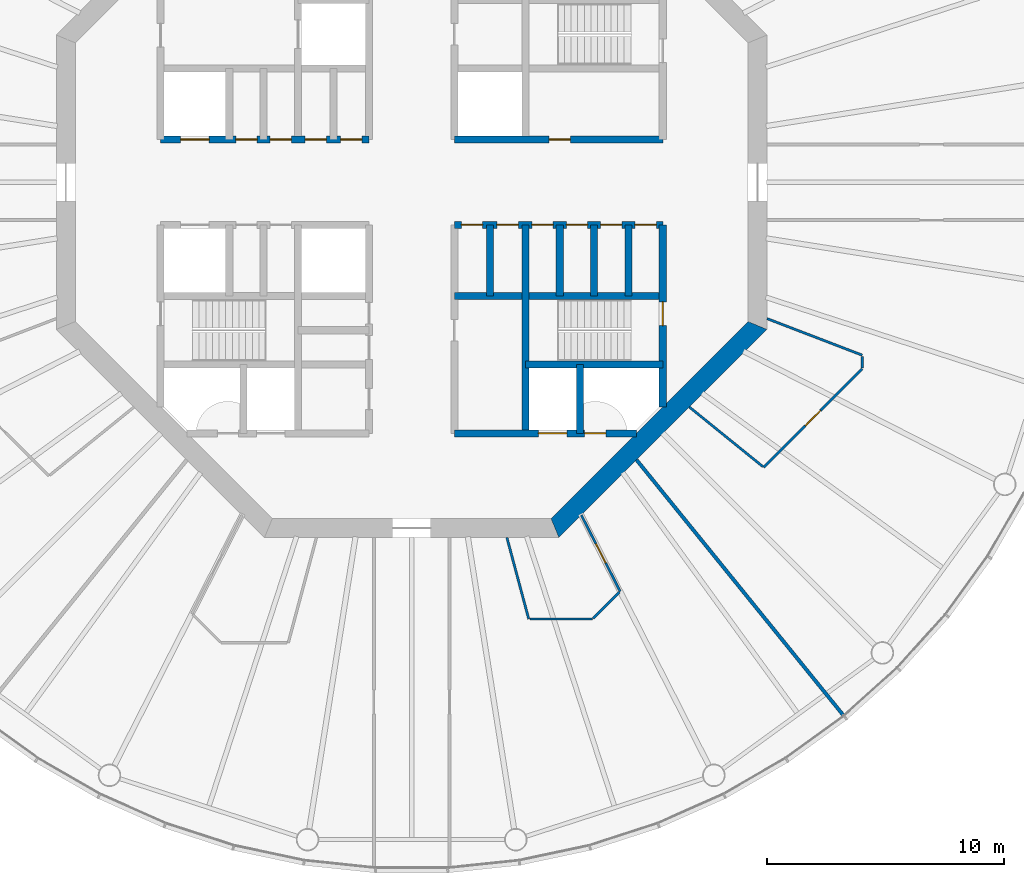
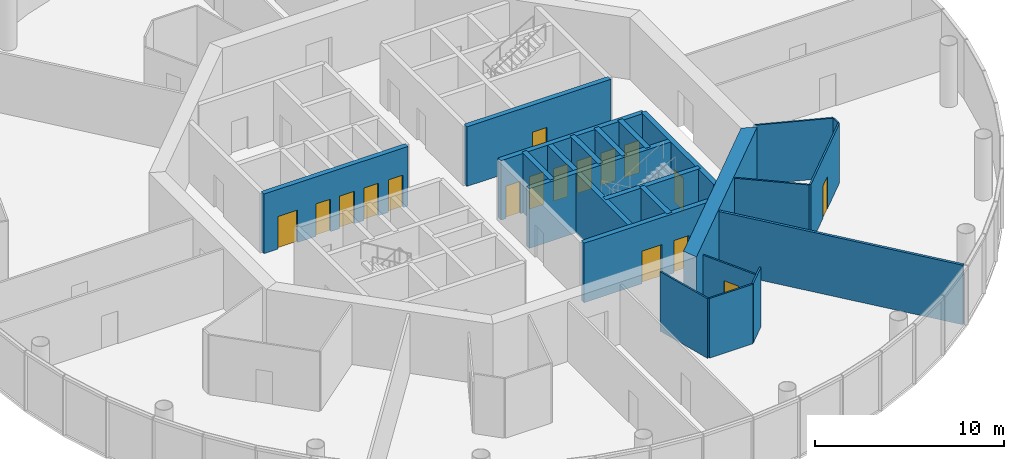
# One storey, part 4 of 13: 23 walls, 17 doors, 17 openings.
"""IFC4 building model written with IfcOpenShell, lengths in metres."""

import ifcopenshell
import ifcopenshell.guid

model = None  # the IFC model being written
_history = None  # IfcOwnerHistory: only IFC2X3 demands one
_inside = {}  # id of a spatial element -> (the spatial element, [elements in it])
_under = {}  # id of a project, library or spatial element -> (it, [spatial elements below it])
_declared = {}  # id of a project -> (the project, [libraries it declares])
_typed = {}  # id of a type object -> (the type object, [elements of that type])
_made_of = {}  # id of a material, layer set ... -> (it, [elements and type objects made of it])


def new_model(schema):
    """Start an empty IFC model of exactly this schema.

    Asked for "IFC4X3", IfcOpenShell would pick the latest addendum, in which some entities
    have other attributes; the version numbers below select the first issue.
    IFC2X3 requires an IfcOwnerHistory on every rooted entity: one is made here for all.
    """
    global model, _history
    if schema == "IFC4X3":
        model = ifcopenshell.file(schema_version=(4, 3, 0, 0))
    else:
        model = ifcopenshell.file(schema=schema)
    _inside.clear()
    _under.clear()
    _declared.clear()
    _typed.clear()
    _made_of.clear()
    _history = None
    if model.schema == "IFC2X3":
        org = make("IfcOrganization", Name="unknown")
        user = make(
            "IfcPersonAndOrganization",
            ThePerson=make("IfcPerson", FamilyName="unknown"),
            TheOrganization=org,
        )
        app = make(
            "IfcApplication",
            ApplicationDeveloper=org,
            Version="unknown",
            ApplicationFullName="unknown",
            ApplicationIdentifier="unknown",
        )
        _history = make(
            "IfcOwnerHistory",
            OwningUser=user,
            OwningApplication=app,
            ChangeAction="ADDED",
            CreationDate=0,
        )
    return model


def make(cls, **values):
    """One entity of the class cls with the attributes given. An attribute that is None is left unset."""
    return model.create_entity(
        cls, **{name: value for name, value in values.items() if value is not None}
    )


def rooted(cls, **values):
    """An entity with a GlobalId (a new one), such as an element, a storey or a relation."""
    return make(cls, GlobalId=ifcopenshell.guid.new(), OwnerHistory=_history, **values)


def si_unit(unit_type, name, prefix=None):
    """IfcSIUnit, for example si_unit("LENGTHUNIT", "METRE", prefix="MILLI")."""
    return make("IfcSIUnit", UnitType=unit_type, Prefix=prefix, Name=name)


def assignment(units):
    """IfcUnitAssignment: the units of a project."""
    return None if units is None else make("IfcUnitAssignment", Units=units)


def point(xyz):
    """IfcCartesianPoint."""
    return None if xyz is None else make("IfcCartesianPoint", Coordinates=xyz)


def direction(xyz):
    """IfcDirection."""
    return None if xyz is None else make("IfcDirection", DirectionRatios=xyz)


def frame(location, z_axis=None, x_axis=None):
    """IfcAxis2Placement3D, a coordinate frame: its origin and axes. An axis left out is left unset."""
    return make(
        "IfcAxis2Placement3D",
        Location=point(location),
        Axis=direction(z_axis),
        RefDirection=direction(x_axis),
    )


def frame_2d(location, x_axis=None):
    """IfcAxis2Placement2D, a coordinate frame in the plane: its origin and x axis."""
    return make(
        "IfcAxis2Placement2D", Location=point(location), RefDirection=direction(x_axis)
    )


def origin():
    """The frame at (0, 0, 0) with its axes left unset."""
    return frame((0.0, 0.0, 0.0))


def place(relative_to, where):
    """IfcLocalPlacement: puts the frame where relative to a parent placement (None: the world)."""
    return make(
        "IfcLocalPlacement", PlacementRelTo=relative_to, RelativePlacement=where
    )


def context(
    kind, dimensions, precision=None, world=None, true_north=None, identifier=None
):
    """IfcGeometricRepresentationContext, for example the 3D "Model" context."""
    return make(
        "IfcGeometricRepresentationContext",
        ContextIdentifier=identifier,
        ContextType=kind,
        CoordinateSpaceDimension=dimensions,
        Precision=precision,
        WorldCoordinateSystem=world,
        TrueNorth=true_north,
    )


def subcontext(parent, identifier, kind, view, scale=None):
    """IfcGeometricRepresentationSubContext, for example "Body" below "Model"."""
    return make(
        "IfcGeometricRepresentationSubContext",
        ContextIdentifier=identifier,
        ContextType=kind,
        ParentContext=parent,
        TargetScale=scale,
        TargetView=view,
    )


def project(units=None, contexts=None):
    """IfcProject with its units and contexts."""
    return rooted(
        "IfcProject",
        Name="project",
        RepresentationContexts=contexts,
        UnitsInContext=assignment(units),
    )


def spatial(cls, under=None, at=None, **own):
    """A site, building, storey or space (cls), placed at a placement, below another one or the project."""
    s = rooted(cls, ObjectPlacement=at, **own)
    if under is not None:
        _under.setdefault(under.id(), (under, []))[1].append(s)
    return s


def polyline(points):
    """IfcPolyline through the points."""
    return make("IfcPolyline", Points=[point(p) for p in points])


def profile(cls, at=None, kind="AREA", **sizes):
    """A parametric profile (cls). Its sizes go by their IFC names, for example OverallWidth=200.0."""
    return make(cls, ProfileType=kind, Position=at, **sizes)


def rectangle(**sizes):
    """IfcRectangleProfileDef."""
    return profile("IfcRectangleProfileDef", **sizes)


def outline(outer, holes=None, kind="AREA"):
    """IfcArbitraryClosedProfileDef: a profile drawn as a closed curve; with holes, ...WithVoids."""
    if holes is None:
        return make("IfcArbitraryClosedProfileDef", ProfileType=kind, OuterCurve=outer)
    return make(
        "IfcArbitraryProfileDefWithVoids",
        ProfileType=kind,
        OuterCurve=outer,
        InnerCurves=holes,
    )


def extrude(swept, where, along, depth):
    """IfcExtrudedAreaSolid: the profile swept, set in the frame where, extruded along a direction by depth."""
    return make(
        "IfcExtrudedAreaSolid",
        SweptArea=swept,
        Position=where,
        ExtrudedDirection=direction(along),
        Depth=depth,
    )


def shape(context_of_items, identifier, shape_type, items):
    """IfcShapeRepresentation: the items that make up one representation, for example the "Body"."""
    return make(
        "IfcShapeRepresentation",
        ContextOfItems=context_of_items,
        RepresentationIdentifier=identifier,
        RepresentationType=shape_type,
        Items=items,
    )


def material(Name=None, Category=None):
    """IfcMaterial."""
    return make("IfcMaterial", Name=Name, Category=Category)


def layer(
    of_material, thickness, ventilated=None, Name=None, Category=None, Priority=None
):
    """IfcMaterialLayer: one layer of a wall or slab, of a material (None: an air gap)."""
    return make(
        "IfcMaterialLayer",
        Material=of_material,
        LayerThickness=thickness,
        IsVentilated=ventilated,
        Name=Name,
        Category=Category,
        Priority=Priority,
    )


def layer_set(layers, Name=None):
    """IfcMaterialLayerSet."""
    return make("IfcMaterialLayerSet", MaterialLayers=layers, LayerSetName=Name)


def made_of(thing, what):
    """Note that an element or type object is made of a material, layer set ...; save() writes the relation."""
    if what is not None:
        _made_of.setdefault(what.id(), (what, []))[1].append(thing)
    return thing


def type_object(cls, material=None, **own):
    """A type object (cls), such as IfcWallType, which elements share."""
    return made_of(rooted(cls, **own), material)


def element(
    cls,
    number,
    at=None,
    inside=None,
    cuts=None,
    type_object=None,
    material=None,
    context=None,
    identifier="Body",
    shape_type=None,
    held_by="IfcProductDefinitionShape",
    body=None,
    shapes=None,
    **own,
):
    """One element of the class cls, such as IfcWall. Its Tag is "e" and its number.

    at: its placement. inside: the storey or other place that contains it. cuts: it is an
    opening in that element (IfcRelVoidsElement). A single representation is given by context,
    identifier, shape_type and body (its items); several are given by shapes. held_by: the class
    of the entity that holds the representations. save() writes the other relations.
    """
    e = rooted(cls, Tag="e%d" % number, ObjectPlacement=at, **own)
    if body is not None:
        shapes = [shape(context, identifier, shape_type, body)]
    if shapes is not None:
        e.Representation = make(held_by, Representations=shapes)
    if inside is not None:
        _inside.setdefault(inside.id(), (inside, []))[1].append(e)
    if cuts is not None:
        rooted(
            "IfcRelVoidsElement", RelatingBuildingElement=cuts, RelatedOpeningElement=e
        )
    if type_object is not None:
        _typed.setdefault(type_object.id(), (type_object, []))[1].append(e)
    return made_of(e, material)


def fill(opening, filler):
    """IfcRelFillsElement: the door or window that sits in an opening."""
    return rooted(
        "IfcRelFillsElement",
        RelatingOpeningElement=opening,
        RelatedBuildingElement=filler,
    )


def aggregate(whole, parts):
    """IfcRelAggregates: a whole, such as a stair, and the parts it consists of."""
    return rooted("IfcRelAggregates", RelatingObject=whole, RelatedObjects=parts)


def save(model, path):
    """Write the relations noted so far, then the file.

    IfcRelAggregates (storeys below a building ...), IfcRelContainedInSpatialStructure (elements
    in a storey), IfcRelDefinesByType, IfcRelAssociatesMaterial and IfcRelDeclares: one each for
    every whole, place, type object, material and project.
    """
    for whole, parts in _under.values():
        aggregate(whole, parts)
    for where, things in _inside.values():
        rooted(
            "IfcRelContainedInSpatialStructure",
            RelatedElements=things,
            RelatingStructure=where,
        )
    for kind, things in _typed.values():
        rooted("IfcRelDefinesByType", RelatedObjects=things, RelatingType=kind)
    for what, things in _made_of.values():
        rooted("IfcRelAssociatesMaterial", RelatedObjects=things, RelatingMaterial=what)
    for by, libraries in _declared.values():
        rooted("IfcRelDeclares", RelatingContext=by, RelatedDefinitions=libraries)
    model.write(path)


model = new_model("IFC4")

# Units and contexts
model_context = context("Model", 3, precision=1e-05, world=origin(), true_north=direction((0.0, 1.0)))
body_context = subcontext(model_context, "Body", "Model", "MODEL_VIEW")
ifc_project = project(units=[si_unit("LENGTHUNIT", "METRE"), si_unit("AREAUNIT", "SQUARE_METRE"), si_unit("VOLUMEUNIT", "CUBIC_METRE"), si_unit("PLANEANGLEUNIT", "RADIAN"), si_unit("MASSUNIT", "GRAM", prefix="KILO")], contexts=[model_context])

# Site, building, storey
site_placement = place(None, origin())
site = spatial("IfcSite", under=ifc_project, at=site_placement, CompositionType="ELEMENT")
building_placement = place(site_placement, origin())
building = spatial("IfcBuilding", under=site, at=building_placement, Name="Entoto Ring Tower", CompositionType="ELEMENT")
storey_placement = place(building_placement, frame((0.0, 0.0, 286.0)))
storey = spatial("IfcBuildingStorey", under=building, at=storey_placement, Name="L65", CompositionType="ELEMENT", Elevation=286.0)

# Wall, opening, door
ifc_material_1 = material(Name="Concrete C40/50", Category="concrete")
ifc_layer_1 = layer(ifc_material_1, 0.300048828125)
ifc_layer_set_1 = layer_set([ifc_layer_1], Name="Concrete C40/50")
wall_type_1 = type_object("IfcWallType", Name="Core enclosure wall 300 mm reinforced concrete", PredefinedType="SOLIDWALL", material=ifc_layer_set_1)
wall_1_placement = place(storey_placement, frame((100.60009765625, 70.518310546875, 0.0), z_axis=(0.0, 0.0, 1.0), x_axis=(0.0, 1.0, 0.0)))
wall_1 = element("IfcWall", 1, at=wall_1_placement, inside=storey, type_object=wall_type_1, Name="wall-L65-001", PredefinedType="SOLIDWALL", context=body_context, shape_type="SweptSolid", body=[
    extrude(rectangle(XDim=7.681640625, YDim=0.300048828125, at=frame_2d((3.8408203125, 0.0))), origin(), (0.0, 0.0, 1.0), 3.85009765625),
])
opening_1_placement = place(wall_1_placement, frame((3.431884765625, 0.0, 0.0)))
opening_1 = element("IfcOpeningElement", 2, at=opening_1_placement, cuts=wall_1, Name="Opening K-31", PredefinedType="OPENING", context=body_context, shape_type="SweptSolid", body=[
    extrude(rectangle(XDim=1.0, YDim=2.10009765625, at=frame_2d((0.5, 1.050048828125))), frame((0.0, 0.16015625, 0.0), z_axis=(0.0, -1.0, 0.0), x_axis=(1.0, 0.0, 0.0)), (0.0, 0.0, 1.0), 0.320068359375),
])
ifc_material_2 = material(Name="Steel door leaf, fire rated", Category="steel")
ifc_layer_2 = layer(ifc_material_2, 0.050048828125)
ifc_layer_set_2 = layer_set([ifc_layer_2], Name="Steel door leaf, fire rated")
door_type_1 = type_object("IfcDoorType", Name="Fire door FD60 1000 x 2100 single leaf", OperationType="NOTDEFINED", PredefinedType="DOOR", material=ifc_layer_set_2)
door_1_placement = place(opening_1_placement, origin())
door_1 = element("IfcDoor", 3, at=door_1_placement, inside=storey, type_object=door_type_1, Name="Door K-31", OperationType="SINGLE_SWING_RIGHT", OverallHeight=2.10009765625, OverallWidth=1.0, PredefinedType="DOOR", context=body_context, shape_type="SweptSolid", body=[
    extrude(rectangle(XDim=1.0, YDim=2.10009765625, at=frame_2d((0.5, 1.050048828125))), frame((0.0, 0.02490234375, 0.0), z_axis=(0.0, -1.0, 0.0), x_axis=(1.0, 0.0, 0.0)), (0.0, 0.0, 1.0), 0.050048828125),
])
fill(opening_1, door_1)

# Walls
for number, where, z_axis, x_axis, name in (
    (4, (99.14990234375, 75.199951171875, 0.0), (0.0, 0.0, 1.0), (0.0, 1.0, 0.0), "wall-L65-003"),
    (5, (97.699951171875, 75.199951171875, 0.0), (0.0, 0.0, 1.0), (0.0, 1.0, 0.0), "wall-L65-004"),
):
    element("IfcWall", number, at=place(storey_placement, frame(where, z_axis=z_axis, x_axis=x_axis)), inside=storey, type_object=wall_type_1, Name=name, PredefinedType="SOLIDWALL", context=body_context, shape_type="SweptSolid", body=[
        extrude(rectangle(XDim=3.0, YDim=0.300048828125, at=frame_2d((1.5, 0.0))), origin(), (0.0, 0.0, 1.0), 3.85009765625),
    ])
wall_2_placement = place(storey_placement, frame((97.10009765625, 69.39990234375, 0.0), z_axis=(0.0, 0.0, 1.0), x_axis=(0.0, 1.0, 0.0)))
element("IfcWall", 6, at=wall_2_placement, inside=storey, type_object=wall_type_1, Name="wall-L65-005", PredefinedType="SOLIDWALL", context=body_context, shape_type="SweptSolid", body=[
    extrude(rectangle(XDim=2.900146484375, YDim=0.300048828125, at=frame_2d((1.4501953125, 0.0))), origin(), (0.0, 0.0, 1.0), 3.85009765625),
])
wall_3_placement = place(storey_placement, frame((96.25, 75.199951171875, 0.0), z_axis=(0.0, 0.0, 1.0), x_axis=(0.0, 1.0, 0.0)))
element("IfcWall", 7, at=wall_3_placement, inside=storey, type_object=wall_type_1, Name="wall-L65-007", PredefinedType="SOLIDWALL", context=body_context, shape_type="SweptSolid", body=[
    extrude(rectangle(XDim=3.0, YDim=0.300048828125, at=frame_2d((1.5, 0.0))), origin(), (0.0, 0.0, 1.0), 3.85009765625),
])
wall_4_placement = place(storey_placement, frame((94.800048828125, 69.39990234375, 0.0), z_axis=(0.0, 0.0, 1.0), x_axis=(0.0, 1.0, 0.0)))
element("IfcWall", 8, at=wall_4_placement, inside=storey, type_object=wall_type_1, Name="wall-L65-008", PredefinedType="SOLIDWALL", context=body_context, shape_type="SweptSolid", body=[
    extrude(rectangle(XDim=8.800048828125, YDim=0.300048828125, at=frame_2d((4.39990234375, 0.0))), origin(), (0.0, 0.0, 1.0), 3.85009765625),
])
wall_5_placement = place(storey_placement, frame((93.300048828125, 75.199951171875, 0.0), z_axis=(0.0, 0.0, 1.0), x_axis=(0.0, 1.0, 0.0)))
element("IfcWall", 9, at=wall_5_placement, inside=storey, type_object=wall_type_1, Name="wall-L65-010", PredefinedType="SOLIDWALL", context=body_context, shape_type="SweptSolid", body=[
    extrude(rectangle(XDim=3.0, YDim=0.300048828125, at=frame_2d((1.5, 0.0))), origin(), (0.0, 0.0, 1.0), 3.85009765625),
])

# Wall, openings, doors
wall_6_placement = place(storey_placement, frame((91.800048828125, 69.39990234375, 0.0), z_axis=(0.0, 0.0, 1.0), x_axis=(1.0, 0.0, 0.0)))
wall_6 = element("IfcWall", 10, at=wall_6_placement, inside=storey, type_object=wall_type_1, Name="wall-L65-026", PredefinedType="SOLIDWALL", context=body_context, shape_type="SweptSolid", body=[
    extrude(rectangle(XDim=7.681640625, YDim=0.300048828125, at=frame_2d((3.8408203125, 0.0))), origin(), (0.0, 0.0, 1.0), 3.85009765625),
])
opening_2_placement = place(wall_6_placement, frame((3.550048828125, 0.0, 0.0)))
opening_2 = element("IfcOpeningElement", 11, at=opening_2_placement, cuts=wall_6, Name="Opening LD", PredefinedType="OPENING", context=body_context, shape_type="SweptSolid", body=[
    extrude(rectangle(XDim=1.199951171875, YDim=2.10009765625, at=frame_2d((0.60009765625, 1.050048828125))), frame((0.0, 0.16015625, 0.0), z_axis=(0.0, -1.0, 0.0), x_axis=(1.0, 0.0, 0.0)), (0.0, 0.0, 1.0), 0.320068359375),
])
opening_3_placement = place(wall_6_placement, frame((5.5, 0.0, 0.0)))
opening_3 = element("IfcOpeningElement", 12, at=opening_3_placement, cuts=wall_6, Name="Opening K-34", PredefinedType="OPENING", context=body_context, shape_type="SweptSolid", body=[
    extrude(rectangle(XDim=0.89990234375, YDim=2.10009765625, at=frame_2d((0.449951171875, 1.050048828125))), frame((0.0, 0.16015625, 0.0), z_axis=(0.0, -1.0, 0.0), x_axis=(1.0, 0.0, 0.0)), (0.0, 0.0, 1.0), 0.320068359375),
])
ifc_material_3 = material(Name="Steel and glass door leaf", Category="steel")
ifc_layer_3 = layer(ifc_material_3, 0.050048828125)
ifc_layer_set_3 = layer_set([ifc_layer_3], Name="Steel and glass door leaf")
door_type_2 = type_object("IfcDoorType", Name="Landing door 1200 x 2100 sliding", OperationType="DOUBLE_DOOR_SLIDING", PredefinedType="DOOR", material=ifc_layer_set_3)
door_2_placement = place(opening_2_placement, origin())
door_2 = element("IfcDoor", 13, at=door_2_placement, inside=storey, type_object=door_type_2, Name="Landing door LB2-HR", OperationType="SLIDING_TO_RIGHT", OverallHeight=2.10009765625, OverallWidth=1.199951171875, PredefinedType="DOOR", context=body_context, shape_type="SweptSolid", body=[
    extrude(rectangle(XDim=1.199951171875, YDim=2.10009765625, at=frame_2d((0.60009765625, 1.050048828125))), frame((0.0, 0.02490234375, 0.0), z_axis=(0.0, -1.0, 0.0), x_axis=(1.0, 0.0, 0.0)), (0.0, 0.0, 1.0), 0.050048828125),
])
fill(opening_2, door_2)
ifc_material_4 = material(Name="Steel door leaf, fire rated", Category="steel")
ifc_layer_4 = layer(ifc_material_4, 0.050048828125)
ifc_layer_set_4 = layer_set([ifc_layer_4], Name="Steel door leaf, fire rated")
door_type_3 = type_object("IfcDoorType", Name="Riser door FD60 900 x 2100 single leaf", OperationType="NOTDEFINED", PredefinedType="DOOR", material=ifc_layer_set_4)
door_3_placement = place(opening_3_placement, origin())
door_3 = element("IfcDoor", 14, at=door_3_placement, inside=storey, type_object=door_type_3, Name="Door K-34", OperationType="SINGLE_SWING_LEFT", OverallHeight=2.10009765625, OverallWidth=0.89990234375, PredefinedType="DOOR", context=body_context, shape_type="SweptSolid", body=[
    extrude(rectangle(XDim=0.89990234375, YDim=2.10009765625, at=frame_2d((0.449951171875, 1.050048828125))), frame((0.0, 0.02490234375, 0.0), z_axis=(0.0, -1.0, 0.0), x_axis=(1.0, 0.0, 0.0)), (0.0, 0.0, 1.0), 0.050048828125),
])
fill(opening_3, door_3)

# Walls
wall_7_placement = place(storey_placement, frame((94.800048828125, 72.300048828125, 0.0), z_axis=(0.0, 0.0, 1.0), x_axis=(1.0, 0.0, 0.0)))
element("IfcWall", 15, at=wall_7_placement, inside=storey, type_object=wall_type_1, Name="wall-L65-028", PredefinedType="SOLIDWALL", context=body_context, shape_type="SweptSolid", body=[
    extrude(rectangle(XDim=5.800048828125, YDim=0.300048828125, at=frame_2d((2.89990234375, 0.0))), origin(), (0.0, 0.0, 1.0), 3.85009765625),
])
wall_8_placement = place(storey_placement, frame((91.800048828125, 75.199951171875, 0.0), z_axis=(0.0, 0.0, 1.0), x_axis=(1.0, 0.0, 0.0)))
element("IfcWall", 16, at=wall_8_placement, inside=storey, type_object=wall_type_1, Name="wall-L65-031", PredefinedType="SOLIDWALL", context=body_context, shape_type="SweptSolid", body=[
    extrude(rectangle(XDim=8.800048828125, YDim=0.300048828125, at=frame_2d((4.39990234375, 0.0))), origin(), (0.0, 0.0, 1.0), 3.85009765625),
])

# Wall, openings, doors
wall_9_placement = place(storey_placement, frame((91.800048828125, 78.199951171875, 0.0), z_axis=(0.0, 0.0, 1.0), x_axis=(1.0, 0.0, 0.0)))
wall_9 = element("IfcWall", 17, at=wall_9_placement, inside=storey, type_object=wall_type_1, Name="wall-L65-033", PredefinedType="SOLIDWALL", context=body_context, shape_type="SweptSolid", body=[
    extrude(rectangle(XDim=8.800048828125, YDim=0.300048828125, at=frame_2d((4.39990234375, 0.0))), origin(), (0.0, 0.0, 1.0), 3.85009765625),
])
opening_4_placement = place(wall_9_placement, frame((3.27490234375, 0.0, 0.0)))
opening_4 = element("IfcOpeningElement", 18, at=opening_4_placement, cuts=wall_9, Name="Opening K-14", PredefinedType="OPENING", context=body_context, shape_type="SweptSolid", body=[
    extrude(rectangle(XDim=0.89990234375, YDim=2.10009765625, at=frame_2d((0.449951171875, 1.050048828125))), frame((0.0, 0.16015625, 0.0), z_axis=(0.0, -1.0, 0.0), x_axis=(1.0, 0.0, 0.0)), (0.0, 0.0, 1.0), 0.320068359375),
])
opening_5_placement = place(wall_9_placement, frame((4.72509765625, 0.0, 0.0)))
opening_5 = element("IfcOpeningElement", 19, at=opening_5_placement, cuts=wall_9, Name="Opening K-15", PredefinedType="OPENING", context=body_context, shape_type="SweptSolid", body=[
    extrude(rectangle(XDim=0.89990234375, YDim=2.10009765625, at=frame_2d((0.449951171875, 1.050048828125))), frame((0.0, 0.16015625, 0.0), z_axis=(0.0, -1.0, 0.0), x_axis=(1.0, 0.0, 0.0)), (0.0, 0.0, 1.0), 0.320068359375),
])
opening_6_placement = place(wall_9_placement, frame((6.175048828125, 0.0, 0.0)))
opening_6 = element("IfcOpeningElement", 20, at=opening_6_placement, cuts=wall_9, Name="Opening K-16", PredefinedType="OPENING", context=body_context, shape_type="SweptSolid", body=[
    extrude(rectangle(XDim=0.89990234375, YDim=2.10009765625, at=frame_2d((0.449951171875, 1.050048828125))), frame((0.0, 0.16015625, 0.0), z_axis=(0.0, -1.0, 0.0), x_axis=(1.0, 0.0, 0.0)), (0.0, 0.0, 1.0), 0.320068359375),
])
opening_7_placement = place(wall_9_placement, frame((7.625, 0.0, 0.0)))
opening_7 = element("IfcOpeningElement", 21, at=opening_7_placement, cuts=wall_9, Name="Opening K-57", PredefinedType="OPENING", context=body_context, shape_type="SweptSolid", body=[
    extrude(rectangle(XDim=0.89990234375, YDim=2.10009765625, at=frame_2d((0.449951171875, 1.050048828125))), frame((0.0, 0.16015625, 0.0), z_axis=(0.0, -1.0, 0.0), x_axis=(1.0, 0.0, 0.0)), (0.0, 0.0, 1.0), 0.320068359375),
])
opening_8_placement = place(wall_9_placement, frame((0.300048828125, 0.0, 0.0)))
opening_8 = element("IfcOpeningElement", 22, at=opening_8_placement, cuts=wall_9, Name="Opening K-79", PredefinedType="OPENING", context=body_context, shape_type="SweptSolid", body=[
    extrude(rectangle(XDim=0.89990234375, YDim=2.10009765625, at=frame_2d((0.449951171875, 1.050048828125))), frame((0.0, 0.16015625, 0.0), z_axis=(0.0, -1.0, 0.0), x_axis=(1.0, 0.0, 0.0)), (0.0, 0.0, 1.0), 0.320068359375),
])
opening_9_placement = place(wall_9_placement, frame((1.800048828125, 0.0, 0.0)))
opening_9 = element("IfcOpeningElement", 23, at=opening_9_placement, cuts=wall_9, Name="Opening K-81", PredefinedType="OPENING", context=body_context, shape_type="SweptSolid", body=[
    extrude(rectangle(XDim=0.89990234375, YDim=2.10009765625, at=frame_2d((0.449951171875, 1.050048828125))), frame((0.0, 0.16015625, 0.0), z_axis=(0.0, -1.0, 0.0), x_axis=(1.0, 0.0, 0.0)), (0.0, 0.0, 1.0), 0.320068359375),
])
ifc_material_5 = material(Name="Steel door leaf, fire rated", Category="steel")
ifc_layer_5 = layer(ifc_material_5, 0.050048828125)
ifc_layer_set_5 = layer_set([ifc_layer_5], Name="Steel door leaf, fire rated")
door_type_4 = type_object("IfcDoorType", Name="Core door 900 x 2100 single leaf", OperationType="NOTDEFINED", PredefinedType="DOOR", material=ifc_layer_set_5)
door_4_placement = place(opening_4_placement, frame((0.89990234375, 0.0, 0.0), z_axis=(0.0, 0.0, 1.0), x_axis=(-1.0, 0.0, 0.0)))
door_4 = element("IfcDoor", 24, at=door_4_placement, inside=storey, type_object=door_type_4, Name="Door K-14", OperationType="SINGLE_SWING_LEFT", OverallHeight=2.10009765625, OverallWidth=0.89990234375, PredefinedType="DOOR", context=body_context, shape_type="SweptSolid", body=[
    extrude(rectangle(XDim=0.89990234375, YDim=2.10009765625, at=frame_2d((0.449951171875, 1.050048828125))), frame((0.0, 0.02490234375, 0.0), z_axis=(0.0, -1.0, 0.0), x_axis=(1.0, 0.0, 0.0)), (0.0, 0.0, 1.0), 0.050048828125),
])
fill(opening_4, door_4)
door_5_placement = place(opening_5_placement, frame((0.89990234375, 0.0, 0.0), z_axis=(0.0, 0.0, 1.0), x_axis=(-1.0, 0.0, 0.0)))
door_5 = element("IfcDoor", 25, at=door_5_placement, inside=storey, type_object=door_type_4, Name="Door K-15", OperationType="SINGLE_SWING_RIGHT", OverallHeight=2.10009765625, OverallWidth=0.89990234375, PredefinedType="DOOR", context=body_context, shape_type="SweptSolid", body=[
    extrude(rectangle(XDim=0.89990234375, YDim=2.10009765625, at=frame_2d((0.449951171875, 1.050048828125))), frame((0.0, 0.02490234375, 0.0), z_axis=(0.0, -1.0, 0.0), x_axis=(1.0, 0.0, 0.0)), (0.0, 0.0, 1.0), 0.050048828125),
])
fill(opening_5, door_5)
door_6_placement = place(opening_6_placement, frame((0.89990234375, 0.0, 0.0), z_axis=(0.0, 0.0, 1.0), x_axis=(-1.0, 0.0, 0.0)))
door_6 = element("IfcDoor", 26, at=door_6_placement, inside=storey, type_object=door_type_4, Name="Door K-16", OperationType="SINGLE_SWING_RIGHT", OverallHeight=2.10009765625, OverallWidth=0.89990234375, PredefinedType="DOOR", context=body_context, shape_type="SweptSolid", body=[
    extrude(rectangle(XDim=0.89990234375, YDim=2.10009765625, at=frame_2d((0.449951171875, 1.050048828125))), frame((0.0, 0.02490234375, 0.0), z_axis=(0.0, -1.0, 0.0), x_axis=(1.0, 0.0, 0.0)), (0.0, 0.0, 1.0), 0.050048828125),
])
fill(opening_6, door_6)
door_7_placement = place(opening_7_placement, frame((0.89990234375, 0.0, 0.0), z_axis=(0.0, 0.0, 1.0), x_axis=(-1.0, 0.0, 0.0)))
door_7 = element("IfcDoor", 27, at=door_7_placement, inside=storey, type_object=door_type_4, Name="Door K-57", OperationType="SINGLE_SWING_RIGHT", OverallHeight=2.10009765625, OverallWidth=0.89990234375, PredefinedType="DOOR", context=body_context, shape_type="SweptSolid", body=[
    extrude(rectangle(XDim=0.89990234375, YDim=2.10009765625, at=frame_2d((0.449951171875, 1.050048828125))), frame((0.0, 0.02490234375, 0.0), z_axis=(0.0, -1.0, 0.0), x_axis=(1.0, 0.0, 0.0)), (0.0, 0.0, 1.0), 0.050048828125),
])
fill(opening_7, door_7)
door_8_placement = place(opening_8_placement, frame((0.89990234375, 0.0, 0.0), z_axis=(0.0, 0.0, 1.0), x_axis=(-1.0, 0.0, 0.0)))
door_8 = element("IfcDoor", 28, at=door_8_placement, inside=storey, type_object=door_type_4, Name="Door K-79", OperationType="SINGLE_SWING_RIGHT", OverallHeight=2.10009765625, OverallWidth=0.89990234375, PredefinedType="DOOR", context=body_context, shape_type="SweptSolid", body=[
    extrude(rectangle(XDim=0.89990234375, YDim=2.10009765625, at=frame_2d((0.449951171875, 1.050048828125))), frame((0.0, 0.02490234375, 0.0), z_axis=(0.0, -1.0, 0.0), x_axis=(1.0, 0.0, 0.0)), (0.0, 0.0, 1.0), 0.050048828125),
])
fill(opening_8, door_8)
door_9_placement = place(opening_9_placement, frame((0.89990234375, 0.0, 0.0), z_axis=(0.0, 0.0, 1.0), x_axis=(-1.0, 0.0, 0.0)))
door_9 = element("IfcDoor", 29, at=door_9_placement, inside=storey, type_object=door_type_4, Name="Door K-81", OperationType="SINGLE_SWING_RIGHT", OverallHeight=2.10009765625, OverallWidth=0.89990234375, PredefinedType="DOOR", context=body_context, shape_type="SweptSolid", body=[
    extrude(rectangle(XDim=0.89990234375, YDim=2.10009765625, at=frame_2d((0.449951171875, 1.050048828125))), frame((0.0, 0.02490234375, 0.0), z_axis=(0.0, -1.0, 0.0), x_axis=(1.0, 0.0, 0.0)), (0.0, 0.0, 1.0), 0.050048828125),
])
fill(opening_9, door_9)

wall_10_placement = place(storey_placement, frame((79.39990234375, 81.800048828125, 0.0), z_axis=(0.0, 0.0, 1.0), x_axis=(1.0, 0.0, 0.0)))
wall_10 = element("IfcWall", 30, at=wall_10_placement, inside=storey, type_object=wall_type_1, Name="wall-L65-034", PredefinedType="SOLIDWALL", context=body_context, shape_type="SweptSolid", body=[
    extrude(rectangle(XDim=8.800048828125, YDim=0.300048828125, at=frame_2d((4.39990234375, 0.0))), origin(), (0.0, 0.0, 1.0), 3.85009765625),
])
opening_10_placement = place(wall_10_placement, frame((0.85009765625, 0.0, 0.0)))
opening_10 = element("IfcOpeningElement", 31, at=opening_10_placement, cuts=wall_10, Name="Opening LD", PredefinedType="OPENING", context=body_context, shape_type="SweptSolid", body=[
    extrude(rectangle(XDim=1.199951171875, YDim=2.10009765625, at=frame_2d((0.60009765625, 1.050048828125))), frame((0.0, 0.16015625, 0.0), z_axis=(0.0, -1.0, 0.0), x_axis=(1.0, 0.0, 0.0)), (0.0, 0.0, 1.0), 0.320068359375),
])
opening_11_placement = place(wall_10_placement, frame((3.175048828125, 0.0, 0.0)))
opening_11 = element("IfcOpeningElement", 32, at=opening_11_placement, cuts=wall_10, Name="Opening K-12", PredefinedType="OPENING", context=body_context, shape_type="SweptSolid", body=[
    extrude(rectangle(XDim=0.89990234375, YDim=2.10009765625, at=frame_2d((0.449951171875, 1.050048828125))), frame((0.0, 0.16015625, 0.0), z_axis=(0.0, -1.0, 0.0), x_axis=(1.0, 0.0, 0.0)), (0.0, 0.0, 1.0), 0.320068359375),
])
opening_12_placement = place(wall_10_placement, frame((4.625, 0.0, 0.0)))
opening_12 = element("IfcOpeningElement", 33, at=opening_12_placement, cuts=wall_10, Name="Opening K-46", PredefinedType="OPENING", context=body_context, shape_type="SweptSolid", body=[
    extrude(rectangle(XDim=0.89990234375, YDim=2.10009765625, at=frame_2d((0.449951171875, 1.050048828125))), frame((0.0, 0.16015625, 0.0), z_axis=(0.0, -1.0, 0.0), x_axis=(1.0, 0.0, 0.0)), (0.0, 0.0, 1.0), 0.320068359375),
])
opening_13_placement = place(wall_10_placement, frame((6.10009765625, 0.0, 0.0)))
opening_13 = element("IfcOpeningElement", 34, at=opening_13_placement, cuts=wall_10, Name="Opening K-25", PredefinedType="OPENING", context=body_context, shape_type="SweptSolid", body=[
    extrude(rectangle(XDim=0.89990234375, YDim=2.10009765625, at=frame_2d((0.449951171875, 1.050048828125))), frame((0.0, 0.16015625, 0.0), z_axis=(0.0, -1.0, 0.0), x_axis=(1.0, 0.0, 0.0)), (0.0, 0.0, 1.0), 0.320068359375),
])
opening_14_placement = place(wall_10_placement, frame((7.60009765625, 0.0, 0.0)))
opening_14 = element("IfcOpeningElement", 35, at=opening_14_placement, cuts=wall_10, Name="Opening K-77", PredefinedType="OPENING", context=body_context, shape_type="SweptSolid", body=[
    extrude(rectangle(XDim=0.89990234375, YDim=2.10009765625, at=frame_2d((0.449951171875, 1.050048828125))), frame((0.0, 0.16015625, 0.0), z_axis=(0.0, -1.0, 0.0), x_axis=(1.0, 0.0, 0.0)), (0.0, 0.0, 1.0), 0.320068359375),
])
door_10_placement = place(opening_11_placement, origin())
door_10 = element("IfcDoor", 36, at=door_10_placement, inside=storey, type_object=door_type_4, Name="Door K-12", OperationType="SINGLE_SWING_RIGHT", OverallHeight=2.10009765625, OverallWidth=0.89990234375, PredefinedType="DOOR", context=body_context, shape_type="SweptSolid", body=[
    extrude(rectangle(XDim=0.89990234375, YDim=2.10009765625, at=frame_2d((0.449951171875, 1.050048828125))), frame((0.0, 0.02490234375, 0.0), z_axis=(0.0, -1.0, 0.0), x_axis=(1.0, 0.0, 0.0)), (0.0, 0.0, 1.0), 0.050048828125),
])
fill(opening_11, door_10)
door_11_placement = place(opening_12_placement, origin())
door_11 = element("IfcDoor", 37, at=door_11_placement, inside=storey, type_object=door_type_4, Name="Door K-46", OperationType="SINGLE_SWING_RIGHT", OverallHeight=2.10009765625, OverallWidth=0.89990234375, PredefinedType="DOOR", context=body_context, shape_type="SweptSolid", body=[
    extrude(rectangle(XDim=0.89990234375, YDim=2.10009765625, at=frame_2d((0.449951171875, 1.050048828125))), frame((0.0, 0.02490234375, 0.0), z_axis=(0.0, -1.0, 0.0), x_axis=(1.0, 0.0, 0.0)), (0.0, 0.0, 1.0), 0.050048828125),
])
fill(opening_12, door_11)
door_12_placement = place(opening_13_placement, origin())
door_12 = element("IfcDoor", 38, at=door_12_placement, inside=storey, type_object=door_type_4, Name="Door K-25", OperationType="SINGLE_SWING_LEFT", OverallHeight=2.10009765625, OverallWidth=0.89990234375, PredefinedType="DOOR", context=body_context, shape_type="SweptSolid", body=[
    extrude(rectangle(XDim=0.89990234375, YDim=2.10009765625, at=frame_2d((0.449951171875, 1.050048828125))), frame((0.0, 0.02490234375, 0.0), z_axis=(0.0, -1.0, 0.0), x_axis=(1.0, 0.0, 0.0)), (0.0, 0.0, 1.0), 0.050048828125),
])
fill(opening_13, door_12)
door_13_placement = place(opening_14_placement, origin())
door_13 = element("IfcDoor", 39, at=door_13_placement, inside=storey, type_object=door_type_4, Name="Door K-77", OperationType="SINGLE_SWING_LEFT", OverallHeight=2.10009765625, OverallWidth=0.89990234375, PredefinedType="DOOR", context=body_context, shape_type="SweptSolid", body=[
    extrude(rectangle(XDim=0.89990234375, YDim=2.10009765625, at=frame_2d((0.449951171875, 1.050048828125))), frame((0.0, 0.02490234375, 0.0), z_axis=(0.0, -1.0, 0.0), x_axis=(1.0, 0.0, 0.0)), (0.0, 0.0, 1.0), 0.050048828125),
])
fill(opening_14, door_13)
door_14_placement = place(opening_10_placement, origin())
door_14 = element("IfcDoor", 40, at=door_14_placement, inside=storey, type_object=door_type_2, Name="Landing door SH1", OperationType="SLIDING_TO_RIGHT", OverallHeight=2.10009765625, OverallWidth=1.199951171875, PredefinedType="DOOR", context=body_context, shape_type="SweptSolid", body=[
    extrude(rectangle(XDim=1.199951171875, YDim=2.10009765625, at=frame_2d((0.60009765625, 1.050048828125))), frame((0.0, 0.02490234375, 0.0), z_axis=(0.0, -1.0, 0.0), x_axis=(1.0, 0.0, 0.0)), (0.0, 0.0, 1.0), 0.050048828125),
])
fill(opening_10, door_14)

# Wall, opening, door
wall_11_placement = place(storey_placement, frame((91.800048828125, 81.800048828125, 0.0), z_axis=(0.0, 0.0, 1.0), x_axis=(1.0, 0.0, 0.0)))
wall_11 = element("IfcWall", 41, at=wall_11_placement, inside=storey, type_object=wall_type_1, Name="wall-L65-035", PredefinedType="SOLIDWALL", context=body_context, shape_type="SweptSolid", body=[
    extrude(rectangle(XDim=8.800048828125, YDim=0.300048828125, at=frame_2d((4.39990234375, 0.0))), origin(), (0.0, 0.0, 1.0), 3.85009765625),
])
opening_15_placement = place(wall_11_placement, frame((4.0, 0.0, 0.0)))
opening_15 = element("IfcOpeningElement", 42, at=opening_15_placement, cuts=wall_11, Name="Opening K-11", PredefinedType="OPENING", context=body_context, shape_type="SweptSolid", body=[
    extrude(rectangle(XDim=0.89990234375, YDim=2.10009765625, at=frame_2d((0.449951171875, 1.050048828125))), frame((0.0, 0.16015625, 0.0), z_axis=(0.0, -1.0, 0.0), x_axis=(1.0, 0.0, 0.0)), (0.0, 0.0, 1.0), 0.320068359375),
])
door_15_placement = place(opening_15_placement, origin())
door_15 = element("IfcDoor", 43, at=door_15_placement, inside=storey, type_object=door_type_4, Name="Door K-11", OperationType="SINGLE_SWING_LEFT", OverallHeight=2.10009765625, OverallWidth=0.89990234375, PredefinedType="DOOR", context=body_context, shape_type="SweptSolid", body=[
    extrude(rectangle(XDim=0.89990234375, YDim=2.10009765625, at=frame_2d((0.449951171875, 1.050048828125))), frame((0.0, 0.02490234375, 0.0), z_axis=(0.0, -1.0, 0.0), x_axis=(1.0, 0.0, 0.0)), (0.0, 0.0, 1.0), 0.050048828125),
])
fill(opening_15, door_15)

# Wall
ifc_material_6 = material(Name="Concrete C40/50", Category="concrete")
ifc_layer_6 = layer(ifc_material_6, 0.800048828125)
ifc_layer_set_6 = layer_set([ifc_layer_6], Name="Concrete C40/50")
wall_type_2 = type_object("IfcWallType", Name="Core shear wall 800 mm reinforced concrete C40/50", PredefinedType="SHEAR", material=ifc_layer_set_6)
wall_12_placement = place(storey_placement, frame((96.047607421875, 65.39990234375, 0.0), z_axis=(0.0, 0.0, 1.0), x_axis=(0.707106781187, 0.707106781187, 0.0)))
element("IfcWall", 44, at=wall_12_placement, inside=storey, type_object=wall_type_2, Name="wall-L65-core-7", PredefinedType="SHEAR", context=body_context, shape_type="SweptSolid", body=[
    extrude(outline(polyline([(-0.165771484375, -0.39990234375), (12.2607421875, -0.39990234375), (11.92919921875, 0.39990234375), (0.165771484375, 0.39990234375), (-0.165771484375, -0.39990234375)])), origin(), (0.0, 0.0, 1.0), 4.0),
])

# Wall, opening, door
ifc_material_7 = material(Name="Plasterboard on steel studs", Category="steel")
ifc_layer_7 = layer(ifc_material_7, 0.10009765625)
ifc_layer_set_7 = layer_set([ifc_layer_7], Name="Plasterboard on steel studs")
wall_type_3 = type_object("IfcWallType", Name="Partition 100 mm plasterboard on steel studs", PredefinedType="PARTITIONING", material=ifc_layer_set_7)
wall_13_placement = place(storey_placement, frame((104.86279296875, 67.96435546875, 0.0), z_axis=(0.0, 0.0, 1.0), x_axis=(0.707106781187, 0.707106781187, 0.0)))
wall_13 = element("IfcWall", 45, at=wall_13_placement, inside=storey, type_object=wall_type_3, Name="partition-L65-014", PredefinedType="PARTITIONING", context=body_context, shape_type="SweptSolid", body=[
    extrude(rectangle(XDim=5.879150390625, YDim=0.10009765625, at=frame_2d((2.939453125, 0.0))), origin(), (0.0, 0.0, 1.0), 3.85009765625),
])
opening_16_placement = place(wall_13_placement, frame((2.489501953125, 0.0, 0.0)))
opening_16 = element("IfcOpeningElement", 46, at=opening_16_placement, cuts=wall_13, Name="Opening A29-D16", PredefinedType="OPENING", context=body_context, shape_type="SweptSolid", body=[
    extrude(rectangle(XDim=0.89990234375, YDim=2.10009765625, at=frame_2d((0.449951171875, 1.050048828125))), frame((0.0, 0.06005859375, 0.0), z_axis=(0.0, -1.0, 0.0), x_axis=(1.0, 0.0, 0.0)), (0.0, 0.0, 1.0), 0.1201171875),
])
ifc_material_8 = material(Name="Veneered timber door leaf in timber frame", Category="wood")
door_type_5 = type_object("IfcDoorType", Name="Door 900 x 2100 single leaf timber veneer", OperationType="NOTDEFINED", PredefinedType="DOOR", material=ifc_material_8)
door_16_placement = place(opening_16_placement, origin())
door_16 = element("IfcDoor", 47, at=door_16_placement, inside=storey, type_object=door_type_5, Name="Door A29-D16", OperationType="SINGLE_SWING_LEFT", OverallHeight=2.10009765625, OverallWidth=0.89990234375, PredefinedType="DOOR", context=body_context, shape_type="SweptSolid", body=[
    extrude(rectangle(XDim=0.89990234375, YDim=2.10009765625, at=frame_2d((0.449951171875, 1.050048828125))), frame((0.0, 0.02490234375, 0.0), z_axis=(0.0, -1.0, 0.0), x_axis=(1.0, 0.0, 0.0)), (0.0, 0.0, 1.0), 0.050048828125),
])
fill(opening_16, door_16)

# Walls
wall_14_placement = place(storey_placement, frame((109.02001953125, 72.698974609375, 0.0), z_axis=(0.0, 0.0, 1.0), x_axis=(-0.933593802997, 0.358333100628, 0.0)))
element("IfcWall", 48, at=wall_14_placement, inside=storey, type_object=wall_type_3, Name="partition-L65-025", PredefinedType="PARTITIONING", context=body_context, shape_type="SweptSolid", body=[
    extrude(rectangle(XDim=4.305908203125, YDim=0.10009765625, at=frame_2d((2.15283203125, 0.0))), origin(), (0.0, 0.0, 1.0), 3.85009765625),
])
wall_15_placement = place(storey_placement, frame((104.82421875, 67.99560546875, 0.0), z_axis=(0.0, 0.0, 1.0), x_axis=(-0.777132362366, 0.629337184158, 0.0)))
element("IfcWall", 49, at=wall_15_placement, inside=storey, type_object=wall_type_3, Name="partition-L65-026", PredefinedType="PARTITIONING", context=body_context, shape_type="SweptSolid", body=[
    extrude(rectangle(XDim=3.99267578125, YDim=0.10009765625, at=frame_2d((1.996337890625, 0.0))), origin(), (0.0, 0.0, 1.0), 3.85009765625),
])
wall_16_placement = place(storey_placement, frame((94.94091796875, 61.56005859375, 0.0), z_axis=(0.0, 0.0, 1.0), x_axis=(-0.258793196515, 0.965932752026, 0.0)))
element("IfcWall", 50, at=wall_16_placement, inside=storey, type_object=wall_type_3, Name="partition-L65-030", PredefinedType="PARTITIONING", context=body_context, shape_type="SweptSolid", body=[
    extrude(rectangle(XDim=3.561279296875, YDim=0.10009765625, at=frame_2d((1.78076171875, 0.0))), origin(), (0.0, 0.0, 1.0), 3.85009765625),
])
wall_17_placement = place(storey_placement, frame((94.9892578125, 61.56005859375, 0.0), z_axis=(0.0, 0.0, 1.0), x_axis=(1.0, 0.0, 0.0)))
element("IfcWall", 51, at=wall_17_placement, inside=storey, type_object=wall_type_3, Name="partition-L65-034", PredefinedType="PARTITIONING", context=body_context, shape_type="SweptSolid", body=[
    extrude(rectangle(XDim=2.64892578125, YDim=0.10009765625, at=frame_2d((1.324462890625, 0.0))), origin(), (0.0, 0.0, 1.0), 3.85009765625),
])
wall_18_placement = place(storey_placement, frame((97.662841796875, 61.584716796875, 0.0), z_axis=(0.0, 0.0, 1.0), x_axis=(0.707028738388, 0.707184815372, 0.0)))
element("IfcWall", 52, at=wall_18_placement, inside=storey, type_object=wall_type_3, Name="partition-L65-040", PredefinedType="PARTITIONING", context=body_context, shape_type="SweptSolid", body=[
    extrude(rectangle(XDim=1.564208984375, YDim=0.10009765625, at=frame_2d((0.7822265625, 0.0))), origin(), (0.0, 0.0, 1.0), 3.85009765625),
])
wall_19_placement = place(storey_placement, frame((109.02001953125, 72.15673828125, 0.0), z_axis=(0.0, 0.0, 1.0), x_axis=(0.0, 1.0, 0.0)))
element("IfcWall", 53, at=wall_19_placement, inside=storey, type_object=wall_type_3, Name="partition-L65-042", PredefinedType="PARTITIONING", context=body_context, shape_type="SweptSolid", body=[
    extrude(rectangle(XDim=0.49560546875, YDim=0.10009765625, at=frame_2d((0.247802734375, 0.0))), origin(), (0.0, 0.0, 1.0), 3.85009765625),
])

# Wall, opening, door
ifc_material_9 = material(Name="Plasterboard on steel studs", Category="steel")
ifc_layer_8 = layer(ifc_material_9, 0.10009765625)
ifc_layer_set_8 = layer_set([ifc_layer_8], Name="Plasterboard on steel studs")
wall_type_4 = type_object("IfcWallType", Name="Partition 100 mm plasterboard on steel studs, 3250 mm high", PredefinedType="PARTITIONING", material=ifc_layer_set_8)
wall_20_placement = place(storey_placement, frame((98.802490234375, 62.724365234375, 0.0), z_axis=(0.0, 0.0, 1.0), x_axis=(-0.454004650411, 0.89099931392, 0.0)))
wall_20 = element("IfcWall", 54, at=wall_20_placement, inside=storey, type_object=wall_type_4, Name="partition-L65-029", PredefinedType="PARTITIONING", context=body_context, shape_type="SweptSolid", body=[
    extrude(rectangle(XDim=3.616943359375, YDim=0.10009765625, at=frame_2d((1.80859375, 0.0))), origin(), (0.0, 0.0, 1.0), 3.25),
])
opening_17_placement = place(wall_20_placement, frame((1.3583984375, 0.0, 0.0)))
opening_17 = element("IfcOpeningElement", 55, at=opening_17_placement, cuts=wall_20, Name="Opening A29-D14", PredefinedType="OPENING", context=body_context, shape_type="SweptSolid", body=[
    extrude(rectangle(XDim=0.89990234375, YDim=2.10009765625, at=frame_2d((0.449951171875, 1.050048828125))), frame((0.0, 0.06005859375, 0.0), z_axis=(0.0, -1.0, 0.0), x_axis=(1.0, 0.0, 0.0)), (0.0, 0.0, 1.0), 0.1201171875),
])
door_17_placement = place(opening_17_placement, origin())
door_17 = element("IfcDoor", 56, at=door_17_placement, inside=storey, type_object=door_type_5, Name="Door A29-D14", OperationType="SINGLE_SWING_RIGHT", OverallHeight=2.10009765625, OverallWidth=0.89990234375, PredefinedType="DOOR", context=body_context, shape_type="SweptSolid", body=[
    extrude(rectangle(XDim=0.89990234375, YDim=2.10009765625, at=frame_2d((0.449951171875, 1.050048828125))), frame((0.0, 0.02490234375, 0.0), z_axis=(0.0, -1.0, 0.0), x_axis=(1.0, 0.0, 0.0)), (0.0, 0.0, 1.0), 0.050048828125),
])
fill(opening_17, door_17)

# Wall
ifc_material_10 = material(Name="Fire-resisting acoustic plasterboard on steel studs", Category="steel")
ifc_layer_9 = layer(ifc_material_10, 0.14990234375)
ifc_layer_set_9 = layer_set([ifc_layer_9], Name="Fire-resisting acoustic plasterboard on steel studs")
wall_type_5 = type_object("IfcWallType", Name="Party wall 150 mm one-hour acoustic plasterboard on steel studs", PredefinedType="PARTITIONING", material=ifc_layer_set_9)
wall_21_placement = place(storey_placement, frame((108.21240234375, 57.509521484375, 0.0), z_axis=(0.0, 0.0, 1.0), x_axis=(-0.629324927109, 0.777142288207, 0.0)))
element("IfcWall", 57, at=wall_21_placement, inside=storey, type_object=wall_type_5, Name="partition-L65-012", PredefinedType="PARTITIONING", context=body_context, shape_type="SweptSolid", body=[
    extrude(rectangle(XDim=13.857177734375, YDim=0.14990234375, at=frame_2d((6.9287109375, 0.0))), origin(), (0.0, 0.0, 1.0), 3.85009765625),
])

save(model, "model.ifc")
